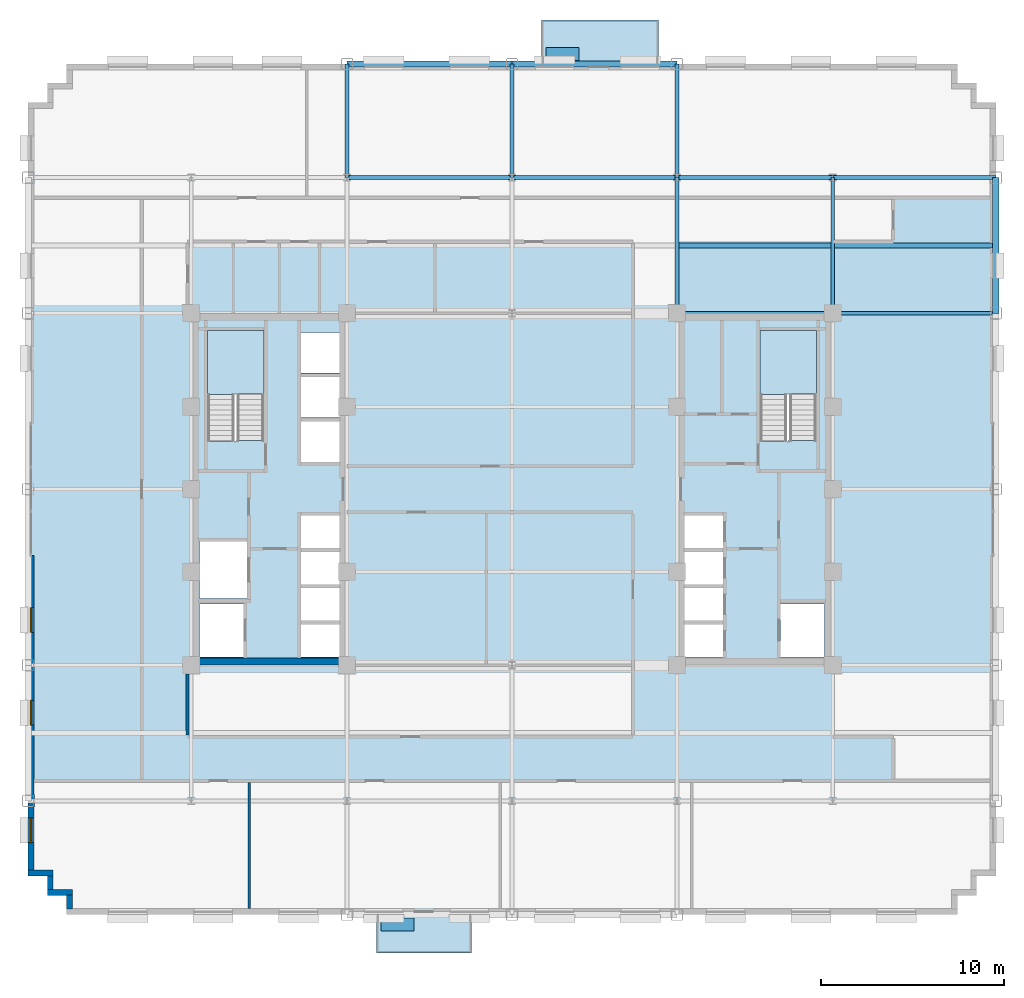
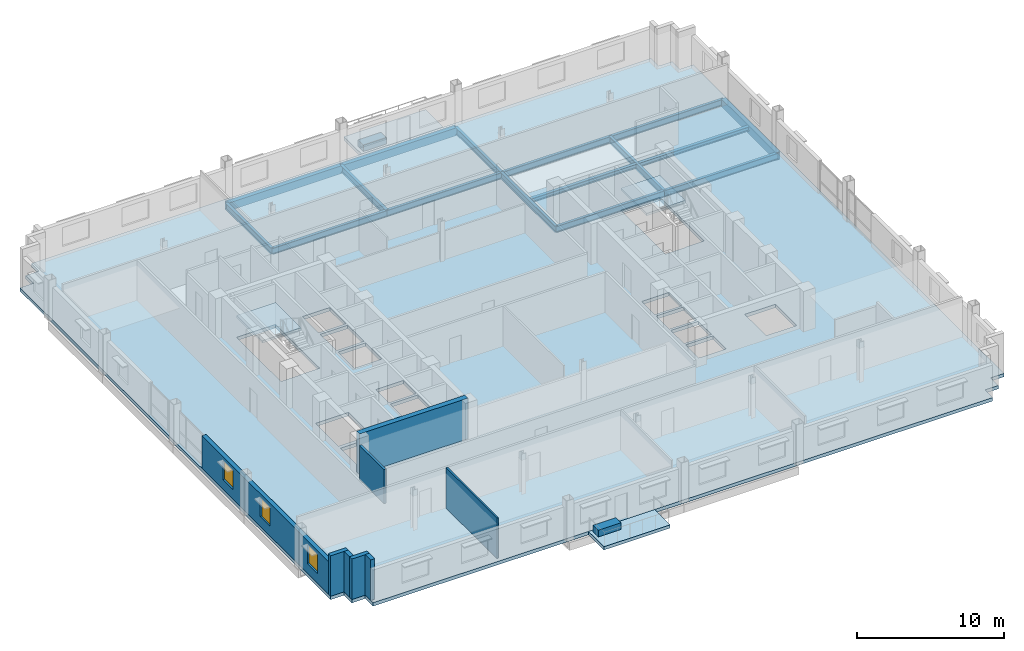
# One storey, part 5 of 15: 16 beams, 8 walls, 5 slabs, 3 windows, 2 plates, 3 openings, 2 elements without a shape of their own.
"""IFC4 building model written with IfcOpenShell, lengths in metres."""

from ifc_helpers import new_model, si_unit, direction, frame, frame_2d, origin, origin_2d, place, context, subcontext, project, spatial, polyline, rectangle, i_section, outline, extrude, source, transform, mapped, material, layer, layer_set, material_profile, profile_set, type_object, type_shapes, element, fill, aggregate, save


model = new_model("IFC4")

# Units and contexts
model_context = context("Model", 3, precision=1e-05, world=origin(), true_north=direction((0.0, 1.0)))
body_context = subcontext(model_context, "Body", "Model", "MODEL_VIEW")
ifc_project = project(units=[si_unit("LENGTHUNIT", "METRE"), si_unit("AREAUNIT", "SQUARE_METRE"), si_unit("VOLUMEUNIT", "CUBIC_METRE"), si_unit("PLANEANGLEUNIT", "RADIAN"), si_unit("MASSUNIT", "GRAM", prefix="KILO")], contexts=[model_context])

# Site, building, storey
site_placement = place(None, origin())
site = spatial("IfcSite", under=ifc_project, at=site_placement, CompositionType="ELEMENT")
building_placement = place(site_placement, origin())
building = spatial("IfcBuilding", under=site, at=building_placement, Name="Nuvemarco Arch Tower", CompositionType="ELEMENT")
storey_placement = place(building_placement, frame((0.0, 0.0, 123.85009765625)))
storey = spatial("IfcBuildingStorey", under=building, at=storey_placement, Name="L32", CompositionType="ELEMENT", Elevation=123.85009765625)

# Beams
ifc_material_1 = material(Name="Steel S355", Category="steel")
ifc_material_profile_1 = material_profile(ifc_material_1, i_section(OverallWidth=0.2109375, OverallDepth=0.5390625, WebThickness=0.01171875, FlangeThickness=0.018798828125, FilletRadius=0.01611328125, at=origin_2d()), Name="W530x109")
ifc_profile_set_1 = profile_set([ifc_material_profile_1], Name="Steel S355")
beam_type_1 = type_object("IfcBeamType", Name="BM-GIRD-530", PredefinedType="BEAM", material=ifc_profile_set_1)
for number, where, z_axis, x_axis, name in (
    (1, (-9.0, 17.0, -0.549560546875), (0.0, 1.0, 0.0), (-1.0, 0.0, 0.0), "L32 structural beam BGNS_L32_0_-9.0_+17.0"),
    (2, (0.0, 17.0, -0.549560546875), (0.0, 1.0, 0.0), (-1.0, 0.0, 0.0), "L32 structural beam BGNS_L32_0_+0.0_+17.0"),
):
    element("IfcBeam", number, at=place(storey_placement, frame(where, z_axis=z_axis, x_axis=x_axis)), inside=storey, type_object=beam_type_1, Name=name, PredefinedType="BEAM", context=body_context, shape_type="SweptSolid", body=[
        extrude(i_section(OverallWidth=0.2109375, OverallDepth=0.5390625, WebThickness=0.01171875, FlangeThickness=0.018798828125, FilletRadius=0.01611328125, at=origin_2d()), origin(), (0.0, 0.0, 1.0), 6.199951171875),
    ])
beam_1_placement = place(storey_placement, frame((9.0, 9.60009765625, -0.549560546875), z_axis=(0.0, 1.0, 0.0), x_axis=(-1.0, 0.0, 0.0)))
element("IfcBeam", 3, at=beam_1_placement, inside=storey, type_object=beam_type_1, Name="L32 structural beam BGNS_L32_0_+9.0_+9.6", PredefinedType="BEAM", context=body_context, shape_type="SweptSolid", body=[
    extrude(i_section(OverallWidth=0.2109375, OverallDepth=0.5390625, WebThickness=0.01171875, FlangeThickness=0.018798828125, FilletRadius=0.01611328125, at=origin_2d()), origin(), (0.0, 0.0, 1.0), 7.39990234375),
])
beam_2_placement = place(storey_placement, frame((9.0, 17.0, -0.549560546875), z_axis=(0.0, 1.0, 0.0), x_axis=(-1.0, 0.0, 0.0)))
element("IfcBeam", 4, at=beam_2_placement, inside=storey, type_object=beam_type_1, Name="L32 structural beam BGNS_L32_0_+9.0_+17.0", PredefinedType="BEAM", context=body_context, shape_type="SweptSolid", body=[
    extrude(i_section(OverallWidth=0.2109375, OverallDepth=0.5390625, WebThickness=0.01171875, FlangeThickness=0.018798828125, FilletRadius=0.01611328125, at=origin_2d()), origin(), (0.0, 0.0, 1.0), 6.199951171875),
])
beam_3_placement = place(storey_placement, frame((17.5, 9.60009765625, -0.549560546875), z_axis=(0.0, 1.0, 0.0), x_axis=(-1.0, 0.0, 0.0)))
element("IfcBeam", 5, at=beam_3_placement, inside=storey, type_object=beam_type_1, Name="L32 structural beam BGNS_L32_0_+17.5_+9.6", PredefinedType="BEAM", context=body_context, shape_type="SweptSolid", body=[
    extrude(i_section(OverallWidth=0.2109375, OverallDepth=0.5390625, WebThickness=0.01171875, FlangeThickness=0.018798828125, FilletRadius=0.01611328125, at=origin_2d()), origin(), (0.0, 0.0, 1.0), 7.39990234375),
])
beam_4_placement = place(storey_placement, frame((9.0, 9.60009765625, -0.549560546875), z_axis=(1.0, 0.0, 0.0), x_axis=(0.0, 1.0, 0.0)))
element("IfcBeam", 6, at=beam_4_placement, inside=storey, type_object=beam_type_1, Name="L32 structural beam BGEW_L32_0_+9.6_+9.0", PredefinedType="BEAM", context=body_context, shape_type="SweptSolid", body=[
    extrude(i_section(OverallWidth=0.2109375, OverallDepth=0.5390625, WebThickness=0.01171875, FlangeThickness=0.018798828125, FilletRadius=0.01611328125, at=origin_2d()), origin(), (0.0, 0.0, 1.0), 8.5),
])
beam_5_placement = place(storey_placement, frame((17.5, 9.60009765625, -0.549560546875), z_axis=(1.0, 0.0, 0.0), x_axis=(0.0, 1.0, 0.0)))
element("IfcBeam", 7, at=beam_5_placement, inside=storey, type_object=beam_type_1, Name="L32 structural beam BGEW_L32_0_+9.6_+17.5", PredefinedType="BEAM", context=body_context, shape_type="SweptSolid", body=[
    extrude(i_section(OverallWidth=0.2109375, OverallDepth=0.5390625, WebThickness=0.01171875, FlangeThickness=0.018798828125, FilletRadius=0.01611328125, at=origin_2d()), origin(), (0.0, 0.0, 1.0), 8.89990234375),
])
for number, where, z_axis, x_axis, name in (
    (8, (-9.0, 17.0, -0.549560546875), (1.0, 0.0, 0.0), (0.0, 1.0, 0.0), "L32 structural beam BGEW_L32_0_+17.0_-9.0"),
    (9, (0.0, 17.0, -0.549560546875), (1.0, 0.0, 0.0), (0.0, 1.0, 0.0), "L32 structural beam BGEW_L32_0_+17.0_+0.0"),
):
    element("IfcBeam", number, at=place(storey_placement, frame(where, z_axis=z_axis, x_axis=x_axis)), inside=storey, type_object=beam_type_1, Name=name, PredefinedType="BEAM", context=body_context, shape_type="SweptSolid", body=[
        extrude(i_section(OverallWidth=0.2109375, OverallDepth=0.5390625, WebThickness=0.01171875, FlangeThickness=0.018798828125, FilletRadius=0.01611328125, at=origin_2d()), origin(), (0.0, 0.0, 1.0), 9.0),
    ])
beam_6_placement = place(storey_placement, frame((9.0, 17.0, -0.549560546875), z_axis=(1.0, 0.0, 0.0), x_axis=(0.0, 1.0, 0.0)))
element("IfcBeam", 10, at=beam_6_placement, inside=storey, type_object=beam_type_1, Name="L32 structural beam BGEW_L32_0_+17.0_+9.0", PredefinedType="BEAM", context=body_context, shape_type="SweptSolid", body=[
    extrude(i_section(OverallWidth=0.2109375, OverallDepth=0.5390625, WebThickness=0.01171875, FlangeThickness=0.018798828125, FilletRadius=0.01611328125, at=origin_2d()), origin(), (0.0, 0.0, 1.0), 8.5),
])
beam_7_placement = place(storey_placement, frame((17.5, 17.0, -0.549560546875), z_axis=(1.0, 0.0, 0.0), x_axis=(0.0, 1.0, 0.0)))
element("IfcBeam", 11, at=beam_7_placement, inside=storey, type_object=beam_type_1, Name="L32 structural beam BGEW_L32_0_+17.0_+17.5", PredefinedType="BEAM", context=body_context, shape_type="SweptSolid", body=[
    extrude(i_section(OverallWidth=0.2109375, OverallDepth=0.5390625, WebThickness=0.01171875, FlangeThickness=0.018798828125, FilletRadius=0.01611328125, at=origin_2d()), origin(), (0.0, 0.0, 1.0), 8.89990234375),
])
ifc_material_profile_2 = material_profile(ifc_material_1, i_section(OverallWidth=0.2548828125, OverallDepth=0.35693359375, WebThickness=0.010498046875, FlangeThickness=0.018310546875, FilletRadius=0.014892578125, at=origin_2d()), Name="W360x101")
ifc_profile_set_2 = profile_set([ifc_material_profile_2], Name="Steel S355")
beam_type_2 = type_object("IfcBeamType", Name="BM-JOIST-360H", PredefinedType="JOIST", material=ifc_profile_set_2)
beam_8_placement = place(storey_placement, frame((9.10546875, 13.300048828125, -0.45849609375), z_axis=(1.0, 0.0, 0.0), x_axis=(0.0, 1.0, 0.0)))
element("IfcBeam", 12, at=beam_8_placement, inside=storey, type_object=beam_type_2, Name="L32 structural beam BJ_L32_0_+13.3_+9.0", PredefinedType="JOIST", context=body_context, shape_type="SweptSolid", body=[
    extrude(i_section(OverallWidth=0.2548828125, OverallDepth=0.35693359375, WebThickness=0.010498046875, FlangeThickness=0.018310546875, FilletRadius=0.014892578125, at=origin_2d()), origin(), (0.0, 0.0, 1.0), 8.2890625),
])
beam_9_placement = place(storey_placement, frame((17.60546875, 13.300048828125, -0.45849609375), z_axis=(1.0, 0.0, 0.0), x_axis=(0.0, 1.0, 0.0)))
element("IfcBeam", 13, at=beam_9_placement, inside=storey, type_object=beam_type_2, Name="L32 structural beam BJ_L32_0_+13.3_+17.5", PredefinedType="JOIST", context=body_context, shape_type="SweptSolid", body=[
    extrude(i_section(OverallWidth=0.2548828125, OverallDepth=0.35693359375, WebThickness=0.010498046875, FlangeThickness=0.018310546875, FilletRadius=0.014892578125, at=origin_2d()), origin(), (0.0, 0.0, 1.0), 8.61962890625),
])
ifc_material_2 = material(Name="Precast concrete C45/55", Category="concrete")
ifc_material_profile_3 = material_profile(ifc_material_2, rectangle(XDim=0.35009765625, YDim=0.64990234375, at=origin_2d()), Name="PC-SP-350x650")
ifc_profile_set_3 = profile_set([ifc_material_profile_3], Name="Precast concrete C45/55")
beam_type_3 = type_object("IfcBeamType", Name="BM-SPAN-RC", PredefinedType="SPANDREL", material=ifc_profile_set_3)
beam_10_placement = place(storey_placement, frame((26.39990234375, 9.60009765625, -0.60498046875), z_axis=(0.0, 1.0, 0.0), x_axis=(-1.0, 0.0, 0.0)))
element("IfcBeam", 14, at=beam_10_placement, inside=storey, type_object=beam_type_3, Name="L32 structural beam BGNS_L32_0_+26.4_+9.6", PredefinedType="SPANDREL", context=body_context, shape_type="SweptSolid", body=[
    extrude(rectangle(XDim=0.35009765625, YDim=0.64990234375, at=origin_2d()), origin(), (0.0, 0.0, 1.0), 7.39990234375),
])
for number, where, z_axis, x_axis, name in (
    (15, (-9.0, 23.199951171875, -0.60498046875), (1.0, 0.0, 0.0), (0.0, 1.0, 0.0), "L32 structural beam BGEW_L32_0_+23.2_-9.0"),
    (16, (0.0, 23.199951171875, -0.60498046875), (1.0, 0.0, 0.0), (0.0, 1.0, 0.0), "L32 structural beam BGEW_L32_0_+23.2_+0.0"),
):
    element("IfcBeam", number, at=place(storey_placement, frame(where, z_axis=z_axis, x_axis=x_axis)), inside=storey, type_object=beam_type_3, Name=name, PredefinedType="SPANDREL", context=body_context, shape_type="SweptSolid", body=[
        extrude(rectangle(XDim=0.35009765625, YDim=0.64990234375, at=origin_2d()), origin(), (0.0, 0.0, 1.0), 9.0),
    ])

# Slab
ifc_material_3 = material(Name="Concrete C50/60", Category="concrete")
ifc_layer_1 = layer(ifc_material_3, 0.280029296875, Name="SL-FLR-280")
ifc_layer_set_1 = layer_set([ifc_layer_1], Name="Concrete C50/60")
slab_type_1 = type_object("IfcSlabType", Name="SL-FLR-280", PredefinedType="FLOOR", material=ifc_layer_set_1)
slab_1_placement = place(storey_placement, frame((0.0, 0.0, -0.280029296875)))
element("IfcSlab", 17, at=slab_1_placement, inside=storey, type_object=slab_type_1, Name="L32 structural floor slab", PredefinedType="FLOOR", context=body_context, shape_type="SweptSolid", body=[
    extrude(outline(polyline([(-24.300048828125, -23.199951171875), (24.300048828125, -23.199951171875), (24.300048828125, -22.14990234375), (25.35009765625, -22.14990234375), (25.35009765625, -21.10009765625), (26.39990234375, -21.10009765625), (26.39990234375, 21.10009765625), (25.35009765625, 21.10009765625), (25.35009765625, 22.14990234375), (24.300048828125, 22.14990234375), (24.300048828125, 23.199951171875), (-24.300048828125, 23.199951171875), (-24.300048828125, 22.14990234375), (-25.35009765625, 22.14990234375), (-25.35009765625, 21.10009765625), (-26.39990234375, 21.10009765625), (-26.39990234375, -21.10009765625), (-25.35009765625, -21.10009765625), (-25.35009765625, -22.14990234375), (-24.300048828125, -22.14990234375), (-24.300048828125, -23.199951171875)]), holes=[polyline([(-13.5400390625, 2.669921875), (-13.5400390625, 8.64990234375), (-16.60009765625, 8.64990234375), (-16.60009765625, 2.630615234375), (-15.070068359375, 2.630615234375), (-15.070068359375, 2.669921875), (-13.5400390625, 2.669921875)]), polyline([(16.60009765625, 2.669921875), (16.60009765625, 8.64990234375), (13.5400390625, 8.64990234375), (13.5400390625, 2.630615234375), (15.070068359375, 2.630615234375), (15.070068359375, 2.669921875), (16.60009765625, 2.669921875)]), polyline([(-17.050048828125, -9.14990234375), (-14.64990234375, -9.14990234375), (-14.64990234375, -6.25), (-17.050048828125, -6.25), (-17.050048828125, -9.14990234375)]), polyline([(-17.050048828125, -5.949951171875), (-14.449951171875, -5.949951171875), (-14.449951171875, -2.85009765625), (-17.050048828125, -2.85009765625), (-17.050048828125, -5.949951171875)]), polyline([(-11.5, -9.14990234375), (-9.35009765625, -9.14990234375), (-9.35009765625, -7.3701171875), (-11.5, -7.3701171875), (-11.5, -9.14990234375)]), polyline([(-11.5, -7.169921875), (-9.35009765625, -7.169921875), (-9.35009765625, -5.389892578125), (-11.5, -5.389892578125), (-11.5, -7.169921875)]), polyline([(-11.5, -5.18994140625), (-9.35009765625, -5.18994140625), (-9.35009765625, -3.409912109375), (-11.5, -3.409912109375), (-11.5, -5.18994140625)]), polyline([(-11.5, -3.2099609375), (-9.35009765625, -3.2099609375), (-9.35009765625, -1.429931640625), (-11.5, -1.429931640625), (-11.5, -3.2099609375)]), polyline([(-11.5, 1.5), (-9.35009765625, 1.5), (-9.35009765625, 3.699951171875), (-11.5, 3.699951171875), (-11.5, 1.5)]), polyline([(-11.5, 3.919921875), (-9.35009765625, 3.919921875), (-9.35009765625, 6.1201171875), (-11.5, 6.1201171875), (-11.5, 3.919921875)]), polyline([(-11.5, 6.340087890625), (-9.35009765625, 6.340087890625), (-9.35009765625, 8.5400390625), (-11.5, 8.5400390625), (-11.5, 6.340087890625)]), polyline([(14.64990234375, -9.14990234375), (17.050048828125, -9.14990234375), (17.050048828125, -6.25), (14.64990234375, -6.25), (14.64990234375, -9.14990234375)]), polyline([(9.35009765625, -9.14990234375), (11.5, -9.14990234375), (11.5, -7.3701171875), (9.35009765625, -7.3701171875), (9.35009765625, -9.14990234375)]), polyline([(9.35009765625, -7.169921875), (11.5, -7.169921875), (11.5, -5.389892578125), (9.35009765625, -5.389892578125), (9.35009765625, -7.169921875)]), polyline([(9.35009765625, -5.18994140625), (11.5, -5.18994140625), (11.5, -3.409912109375), (9.35009765625, -3.409912109375), (9.35009765625, -5.18994140625)]), polyline([(9.35009765625, -3.2099609375), (11.5, -3.2099609375), (11.5, -1.429931640625), (9.35009765625, -1.429931640625), (9.35009765625, -3.2099609375)])]), origin(), (0.0, 0.0, 1.0), 0.280029296875),
])

# Stair, slab
stair_type = type_object("IfcStairType", Name="ST-CORE-20R", PredefinedType="HALF_TURN_STAIR", material=ifc_material_2)
stair_1_placement = place(storey_placement, origin())
stair_1 = element("IfcStair", 18, at=stair_1_placement, inside=storey, type_object=stair_type, Name="L32 Protected Exit Stair ST-1", PredefinedType="HALF_TURN_STAIR")
ifc_layer_2 = layer(ifc_material_2, 0.199951171875, Name="SL-LANDING-200")
ifc_layer_set_2 = layer_set([ifc_layer_2], Name="Precast concrete C45/55")
slab_type_2 = type_object("IfcSlabType", Name="SL-LANDING-200", PredefinedType="LANDING", material=ifc_layer_set_2)
slab_2_placement = place(storey_placement, frame((0.0, 0.0, 1.625)))
slab_2 = element("IfcSlab", 19, at=slab_2_placement, type_object=slab_type_2, Name="ST-20R landing 1", PredefinedType="LANDING", context=body_context, shape_type="SweptSolid", body=[
    extrude(outline(polyline([(-13.5400390625, 5.189453125), (-13.5400390625, 8.64990234375), (-16.60009765625, 8.64990234375), (-16.60009765625, 5.169921875), (-15.070068359375, 5.169921875), (-15.070068359375, 5.189453125), (-13.5400390625, 5.189453125)])), origin(), (0.0, 0.0, 1.0), 0.199951171875),
])
aggregate(stair_1, [slab_2])

stair_2_placement = place(storey_placement, origin())
stair_2 = element("IfcStair", 20, at=stair_2_placement, inside=storey, type_object=stair_type, Name="L32 Protected Exit Stair ST-2", PredefinedType="HALF_TURN_STAIR")
slab_3_placement = place(storey_placement, frame((0.0, 0.0, 1.625)))
slab_3 = element("IfcSlab", 21, at=slab_3_placement, type_object=slab_type_2, Name="ST-20R landing 1", PredefinedType="LANDING", context=body_context, shape_type="SweptSolid", body=[
    extrude(outline(polyline([(16.60009765625, 5.189453125), (16.60009765625, 8.64990234375), (13.5400390625, 8.64990234375), (13.5400390625, 5.169921875), (15.070068359375, 5.169921875), (15.070068359375, 5.189453125), (16.60009765625, 5.189453125)])), origin(), (0.0, 0.0, 1.0), 0.199951171875),
])
aggregate(stair_2, [slab_3])

# Slabs
ifc_layer_3 = layer(ifc_material_3, 0.264892578125, Name="SL-TB1")
ifc_layer_set_3 = layer_set([ifc_layer_3], Name="Concrete C50/60")
slab_type_3 = type_object("IfcSlabType", Name="SL-TB1", PredefinedType="FLOOR", material=ifc_layer_set_3)
slab_4_placement = place(storey_placement, frame((0.0, 0.0, -0.26513671875)))
element("IfcSlab", 22, at=slab_4_placement, inside=storey, type_object=slab_type_3, Name="L32 outdoor tree balcony slab 2", PredefinedType="FLOOR", context=body_context, shape_type="SweptSolid", body=[
    extrude(outline(polyline([(-7.39990234375, -25.300048828125), (-2.199951171875, -25.300048828125), (-2.199951171875, -23.199951171875), (-7.39990234375, -23.199951171875), (-7.39990234375, -25.300048828125)])), origin(), (0.0, 0.0, 1.0), 0.26513671875),
])
ifc_layer_4 = layer(ifc_material_3, 0.294921875, Name="SL-TR4")
ifc_layer_set_4 = layer_set([ifc_layer_4], Name="Concrete C50/60")
slab_type_4 = type_object("IfcSlabType", Name="SL-TR4", PredefinedType="FLOOR", material=ifc_layer_set_4)
slab_5_placement = place(storey_placement, frame((0.0, 0.0, -0.295166015625)))
element("IfcSlab", 23, at=slab_5_placement, inside=storey, type_object=slab_type_4, Name="L32 outdoor spiral terrace slab 1", PredefinedType="FLOOR", context=body_context, shape_type="SweptSolid", body=[
    extrude(outline(polyline([(1.60009765625, 23.199951171875), (8.0, 23.199951171875), (8.0, 25.60009765625), (1.60009765625, 25.60009765625), (1.60009765625, 23.199951171875)])), origin(), (0.0, 0.0, 1.0), 0.295166015625),
])

# Plates
ifc_layer_5 = layer(ifc_material_2, 0.550048828125, Name="Tree Balcony Structural Planter")
ifc_layer_set_5 = layer_set([ifc_layer_5], Name="Precast concrete C45/55")
plate_type = type_object("IfcPlateType", Name="Tree Balcony Structural Planter", PredefinedType="USERDEFINED", material=ifc_layer_set_5)
shared_shape_1 = source(origin(), body_context, "Body", "SweptSolid", [
    extrude(rectangle(XDim=1.800048828125, YDim=0.699951171875, at=origin_2d()), origin(), (0.0, 0.0, 1.0), 0.550048828125),
])
type_shapes(plate_type, [shared_shape_1])
for number, where, z_axis, x_axis, name in (
    (24, (2.75, 23.75, 0.0), (0.0, 0.0, 1.0), (1.0, 0.0, 0.0), "L32 Tree Balcony Structural Planter"),
    (25, (-6.25, -23.75, 0.0), (0.0, 0.0, 1.0), (1.0, 0.0, 0.0), "L32 Tree Balcony Structural Planter"),
):
    element("IfcPlate", number, at=place(storey_placement, frame(where, z_axis=z_axis, x_axis=x_axis)), inside=storey, type_object=plate_type, Name=name, ObjectType="PLANTER", PredefinedType="USERDEFINED", context=body_context, shape_type="MappedRepresentation", body=[
        mapped(shared_shape_1, transform((0.0, 0.0, 0.0), scale=1.0)),
    ])

# Wall, openings, windows
ifc_layer_6 = layer(ifc_material_2, 0.320068359375, Name="EW-MID-320")
ifc_layer_set_6 = layer_set([ifc_layer_6], Name="Precast concrete C45/55")
wall_type_1 = type_object("IfcWallType", Name="EW-MID-320", PredefinedType="STANDARD", material=ifc_layer_set_6)
wall_1_placement = place(storey_placement, frame((-26.239990234375, -20.783935546875, 0.0), z_axis=(0.0, 0.0, 1.0), x_axis=(0.0, 1.0, 0.0)))
wall_1 = element("IfcWall", 26, at=wall_1_placement, inside=storey, type_object=wall_type_1, Name="L32 exterior precast pier wall west left", PredefinedType="STANDARD", context=body_context, shape_type="SweptSolid", body=[
    extrude(rectangle(XDim=17.183837890625, YDim=0.320068359375, at=frame_2d((8.591796875, 0.0))), origin(), (0.0, 0.0, 1.0), 2.704833984375),
])
opening_1_placement = place(wall_1_placement, frame((1.505615234375, 0.0, 0.800048828125)))
opening_1 = element("IfcOpeningElement", 27, at=opening_1_placement, cuts=wall_1, Name="Opening WN-6", PredefinedType="OPENING", context=body_context, shape_type="SweptSolid", body=[
    extrude(rectangle(XDim=1.35009765625, YDim=1.56005859375, at=frame_2d((0.675048828125, 0.780029296875))), frame((0.0, 0.169921875, 0.0), z_axis=(0.0, -1.0, 0.0), x_axis=(1.0, 0.0, 0.0)), (0.0, 0.0, 1.0), 0.340087890625),
])
opening_2_placement = place(wall_1_placement, frame((7.9169921875, 0.0, 0.800048828125)))
opening_2 = element("IfcOpeningElement", 28, at=opening_2_placement, cuts=wall_1, Name="Opening WN-6", PredefinedType="OPENING", context=body_context, shape_type="SweptSolid", body=[
    extrude(rectangle(XDim=1.35009765625, YDim=1.56005859375, at=frame_2d((0.675048828125, 0.780029296875))), frame((0.0, 0.169921875, 0.0), z_axis=(0.0, -1.0, 0.0), x_axis=(1.0, 0.0, 0.0)), (0.0, 0.0, 1.0), 0.340087890625),
])
opening_3_placement = place(wall_1_placement, frame((12.978271484375, 0.0, 0.800048828125)))
opening_3 = element("IfcOpeningElement", 29, at=opening_3_placement, cuts=wall_1, Name="Opening WN-6", PredefinedType="OPENING", context=body_context, shape_type="SweptSolid", body=[
    extrude(rectangle(XDim=1.35009765625, YDim=1.56005859375, at=frame_2d((0.675048828125, 0.780029296875))), frame((0.0, 0.169921875, 0.0), z_axis=(0.0, -1.0, 0.0), x_axis=(1.0, 0.0, 0.0)), (0.0, 0.0, 1.0), 0.340087890625),
])
ifc_material_4 = material(Name="Insulated solar-control glass", Category="glass")
window_type = type_object("IfcWindowType", Name="WN-MID-1350x1560", PartitioningType="SINGLE_PANEL", PredefinedType="WINDOW", material=ifc_material_4)
shared_shape_2 = source(origin(), body_context, "Body", "SweptSolid", [
    extrude(rectangle(XDim=1.35009765625, YDim=1.56005859375, at=frame_2d((0.675048828125, 0.780029296875))), frame((0.0, 0.030029296875, 0.0), z_axis=(0.0, -1.0, 0.0), x_axis=(1.0, 0.0, 0.0)), (0.0, 0.0, 1.0), 0.06005859375),
])
type_shapes(window_type, [shared_shape_2])
window_1_placement = place(opening_1_placement, origin())
window_1 = element("IfcWindow", 30, at=window_1_placement, inside=storey, type_object=window_type, Name="L32 punched facade window 1", OverallHeight=1.56005859375, OverallWidth=1.35009765625, PartitioningType="SINGLE_PANEL", PredefinedType="WINDOW", context=body_context, shape_type="MappedRepresentation", body=[
    mapped(shared_shape_2, transform((0.0, 0.0, 0.0), scale=1.0)),
])
fill(opening_1, window_1)
window_2_placement = place(opening_2_placement, origin())
window_2 = element("IfcWindow", 31, at=window_2_placement, inside=storey, type_object=window_type, Name="L32 punched facade window 2", OverallHeight=1.56005859375, OverallWidth=1.35009765625, PartitioningType="SINGLE_PANEL", PredefinedType="WINDOW", context=body_context, shape_type="MappedRepresentation", body=[
    mapped(shared_shape_2, transform((0.0, 0.0, 0.0), scale=1.0)),
])
fill(opening_2, window_2)
window_3_placement = place(opening_3_placement, origin())
window_3 = element("IfcWindow", 32, at=window_3_placement, inside=storey, type_object=window_type, Name="L32 punched facade window 3", OverallHeight=1.56005859375, OverallWidth=1.35009765625, PartitioningType="SINGLE_PANEL", PredefinedType="WINDOW", context=body_context, shape_type="MappedRepresentation", body=[
    mapped(shared_shape_2, transform((0.0, 0.0, 0.0), scale=1.0)),
])
fill(opening_3, window_3)

# Walls
wall_2_placement = place(storey_placement, frame((-26.39990234375, -20.93994140625, 0.0), z_axis=(0.0, 0.0, 1.0), x_axis=(1.0, 0.0, 0.0)))
element("IfcWall", 33, at=wall_2_placement, inside=storey, type_object=wall_type_1, Name="L32 exterior precast facade wall 17", PredefinedType="STANDARD", context=body_context, shape_type="SweptSolid", body=[
    extrude(rectangle(XDim=1.369873046875, YDim=0.320068359375, at=frame_2d((0.68505859375, 0.0))), origin(), (0.0, 0.0, 1.0), 3.35986328125),
])
wall_3_placement = place(storey_placement, frame((-25.18994140625, -21.833984375, 0.0), z_axis=(0.0, 0.0, 1.0), x_axis=(0.0, 1.0, 0.0)))
element("IfcWall", 34, at=wall_3_placement, inside=storey, type_object=wall_type_1, Name="L32 exterior precast facade wall 18", PredefinedType="STANDARD", context=body_context, shape_type="SweptSolid", body=[
    extrude(rectangle(XDim=0.738037109375, YDim=0.320068359375, at=frame_2d((0.369140625, 0.0))), origin(), (0.0, 0.0, 1.0), 3.35986328125),
])
wall_4_placement = place(storey_placement, frame((-25.35009765625, -21.989990234375, 0.0), z_axis=(0.0, 0.0, 1.0), x_axis=(1.0, 0.0, 0.0)))
element("IfcWall", 35, at=wall_4_placement, inside=storey, type_object=wall_type_1, Name="L32 exterior precast facade wall 19", PredefinedType="STANDARD", context=body_context, shape_type="SweptSolid", body=[
    extrude(rectangle(XDim=1.3701171875, YDim=0.320068359375, at=frame_2d((0.68505859375, 0.0))), origin(), (0.0, 0.0, 1.0), 3.35986328125),
])
wall_5_placement = place(storey_placement, frame((-24.139892578125, -22.884033203125, 0.0), z_axis=(0.0, 0.0, 1.0), x_axis=(0.0, 1.0, 0.0)))
element("IfcWall", 36, at=wall_5_placement, inside=storey, type_object=wall_type_1, Name="L32 exterior precast facade wall 20", PredefinedType="STANDARD", context=body_context, shape_type="SweptSolid", body=[
    extrude(rectangle(XDim=0.738037109375, YDim=0.320068359375, at=frame_2d((0.369140625, 0.0))), origin(), (0.0, 0.0, 1.0), 3.35986328125),
])
ifc_material_5 = material(Name="Concrete C60/75", Category="concrete")
ifc_layer_7 = layer(ifc_material_5, 0.39990234375, Name="WL-CORE-400")
ifc_layer_set_7 = layer_set([ifc_layer_7], Name="Concrete C60/75")
wall_type_2 = type_object("IfcWallType", Name="WL-CORE-400", PredefinedType="SHEAR", material=ifc_layer_set_7)
wall_6_placement = place(storey_placement, frame((-17.5, -9.39990234375, 0.0), z_axis=(0.0, 0.0, 1.0), x_axis=(1.0, 0.0, 0.0)))
element("IfcWall", 37, at=wall_6_placement, inside=storey, type_object=wall_type_2, Name="L32 W-core shear wall S", PredefinedType="SHEAR", context=body_context, shape_type="SweptSolid", body=[
    extrude(rectangle(XDim=8.5, YDim=0.39990234375, at=frame_2d((4.25, 0.0))), origin(), (0.0, 0.0, 1.0), 3.369873046875),
])
ifc_material_6 = material(Name="Fire-rated gypsum drywall partition")
ifc_layer_8 = layer(ifc_material_6, 0.179931640625, Name="WL-CORR-180")
ifc_layer_set_8 = layer_set([ifc_layer_8], Name="Fire-rated gypsum drywall partition")
wall_type_3 = type_object("IfcWallType", Name="WL-CORR-180", PredefinedType="PARTITIONING", material=ifc_layer_set_8)
wall_7_placement = place(storey_placement, frame((-17.699951171875, -13.4140625, 0.0), z_axis=(0.0, 0.0, 1.0), x_axis=(0.0, 1.0, 0.0)))
element("IfcWall", 38, at=wall_7_placement, inside=storey, type_object=wall_type_3, Name="L32 interior wall IW-L32-014", PredefinedType="PARTITIONING", context=body_context, shape_type="SweptSolid", body=[
    extrude(rectangle(XDim=3.343017578125, YDim=0.179931640625, at=frame_2d((1.67138671875, 0.0))), origin(), (0.0, 0.0, 1.0), 2.81591796875),
])
ifc_material_7 = material(Name="Glazed acoustic office partition")
ifc_layer_9 = layer(ifc_material_7, 0.1298828125, Name="WL-EXEC-130")
ifc_layer_set_9 = layer_set([ifc_layer_9], Name="Glazed acoustic office partition")
wall_type_4 = type_object("IfcWallType", Name="WL-EXEC-130", PredefinedType="PARTITIONING", material=ifc_layer_set_9)
wall_8_placement = place(storey_placement, frame((-14.330078125, -22.8798828125, 0.0), z_axis=(0.0, 0.0, 1.0), x_axis=(0.0, 1.0, 0.0)))
element("IfcWall", 39, at=wall_8_placement, inside=storey, type_object=wall_type_4, Name="L32 interior wall IW-L32-017", PredefinedType="PARTITIONING", context=body_context, shape_type="SweptSolid", body=[
    extrude(rectangle(XDim=6.893798828125, YDim=0.1298828125, at=frame_2d((3.44677734375, 0.0))), origin(), (0.0, 0.0, 1.0), 3.35986328125),
])

save(model, "model.ifc")
